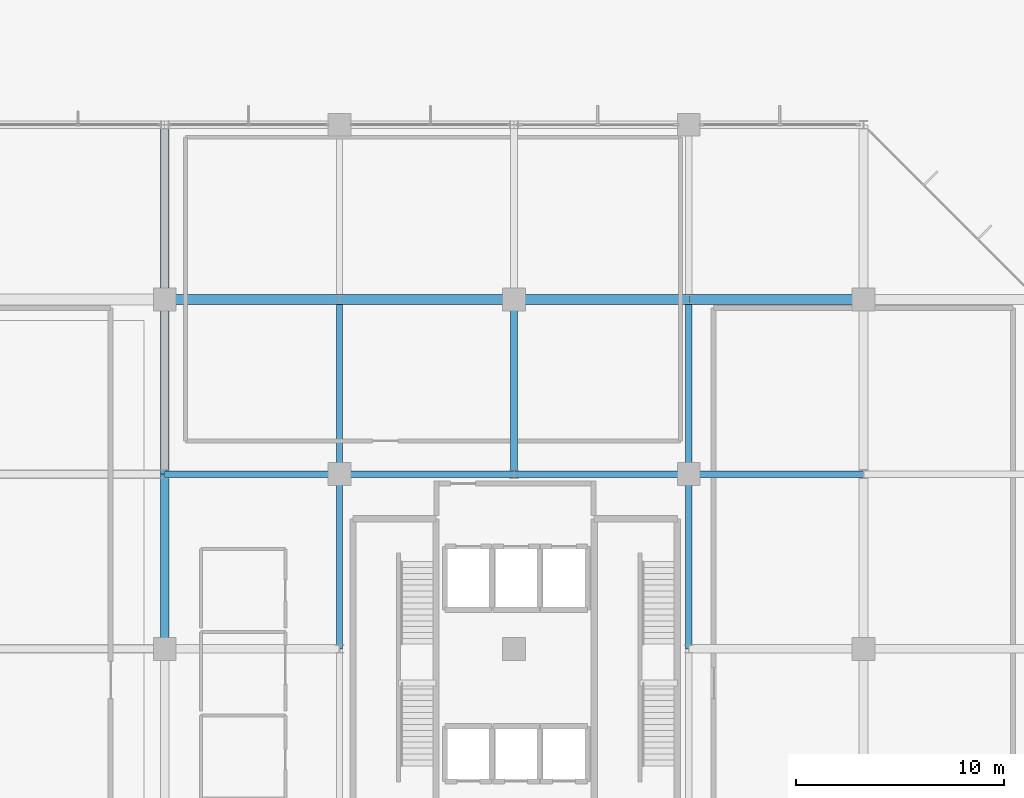
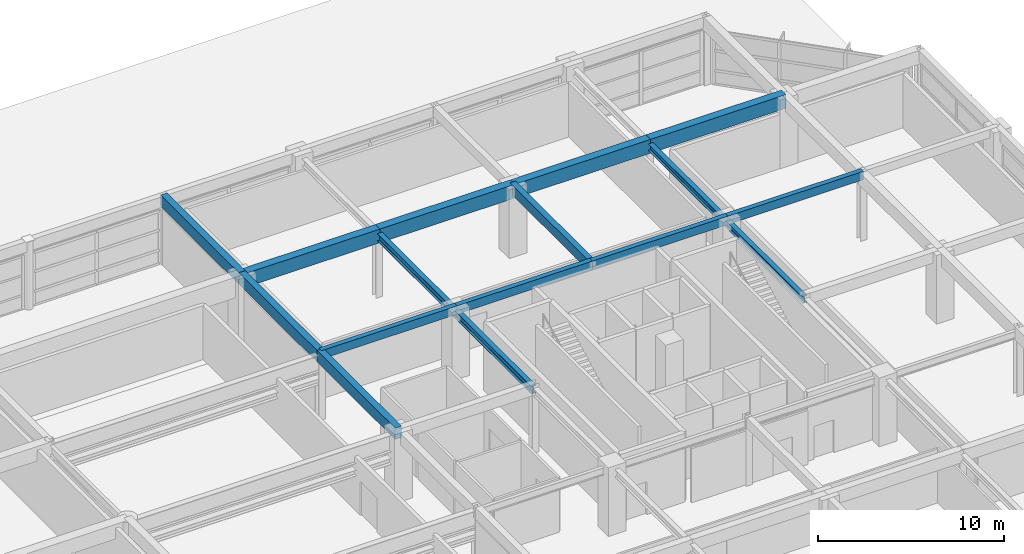
# One storey, part 32 of 47: 16 beams.
"""IFC4 building model written with IfcOpenShell, lengths in metres."""

from ifc_helpers import new_model, si_unit, direction, frame, origin, origin_2d, place, context, subcontext, project, spatial, rectangle, i_section, extrude, material, material_profile, profile_set, type_object, element, save


model = new_model("IFC4")

# Units and contexts
model_context = context("Model", 3, precision=1e-05, world=origin(), true_north=direction((0.0, 1.0)))
body_context = subcontext(model_context, "Body", "Model", "MODEL_VIEW")
ifc_project = project(units=[si_unit("LENGTHUNIT", "METRE"), si_unit("AREAUNIT", "SQUARE_METRE"), si_unit("VOLUMEUNIT", "CUBIC_METRE"), si_unit("PLANEANGLEUNIT", "RADIAN"), si_unit("MASSUNIT", "GRAM", prefix="KILO")], contexts=[model_context])

# Site, building, storey
site_placement = place(None, origin())
site = spatial("IfcSite", under=ifc_project, at=site_placement, CompositionType="ELEMENT")
building_placement = place(site_placement, origin())
building = spatial("IfcBuilding", under=site, at=building_placement, Name="Xuanlan Plaza Opera House", CompositionType="ELEMENT")
storey_placement = place(building_placement, frame((0.0, 0.0, 23.39990234375)))
storey = spatial("IfcBuildingStorey", under=building, at=storey_placement, Name="L05", CompositionType="ELEMENT", Elevation=23.39990234375)

# Beams
ifc_material_1 = material(Name="Concrete C40", Category="concrete")
ifc_material_profile_1 = material_profile(ifc_material_1, rectangle(XDim=0.5, YDim=0.89990234375, at=origin_2d()), Name="RC-BM 500x900")
ifc_profile_set_1 = profile_set([ifc_material_profile_1], Name="Concrete C40")
beam_type_1 = type_object("IfcBeamType", Name="STR-BM-B-03", PredefinedType="BEAM", material=ifc_profile_set_1)
beam_1_placement = place(storey_placement, frame((126.0, 75.60009765625, 4.050048828125), z_axis=(1.0, 0.0, 0.0), x_axis=(0.0, 1.0, 0.0)))
element("IfcBeam", 1, at=beam_1_placement, inside=storey, type_object=beam_type_1, Name="Grid Beam X L05 16-17/J", PredefinedType="BEAM", context=body_context, shape_type="SweptSolid", body=[
    extrude(rectangle(XDim=0.5, YDim=0.89990234375, at=origin_2d()), origin(), (0.0, 0.0, 1.0), 8.39990234375),
])
beam_2_placement = place(storey_placement, frame((134.39990234375, 75.60009765625, 4.050048828125), z_axis=(1.0, 0.0, 0.0), x_axis=(0.0, 1.0, 0.0)))
element("IfcBeam", 2, at=beam_2_placement, inside=storey, type_object=beam_type_1, Name="Grid Beam X L05 17-18/J", PredefinedType="BEAM", context=body_context, shape_type="SweptSolid", body=[
    extrude(rectangle(XDim=0.5, YDim=0.89990234375, at=origin_2d()), origin(), (0.0, 0.0, 1.0), 8.400146484375),
])
beam_3_placement = place(storey_placement, frame((142.800048828125, 75.60009765625, 4.050048828125), z_axis=(1.0, 0.0, 0.0), x_axis=(0.0, 1.0, 0.0)))
element("IfcBeam", 3, at=beam_3_placement, inside=storey, type_object=beam_type_1, Name="Grid Beam X L05 18-19/J", PredefinedType="BEAM", context=body_context, shape_type="SweptSolid", body=[
    extrude(rectangle(XDim=0.5, YDim=0.89990234375, at=origin_2d()), origin(), (0.0, 0.0, 1.0), 8.39990234375),
])
beam_4_placement = place(storey_placement, frame((151.199951171875, 75.60009765625, 4.050048828125), z_axis=(1.0, 0.0, 0.0), x_axis=(0.0, 1.0, 0.0)))
element("IfcBeam", 4, at=beam_4_placement, inside=storey, type_object=beam_type_1, Name="Grid Beam X L05 19-20/J", PredefinedType="BEAM", context=body_context, shape_type="SweptSolid", body=[
    extrude(rectangle(XDim=0.5, YDim=0.89990234375, at=origin_2d()), origin(), (0.0, 0.0, 1.0), 8.400146484375),
])
ifc_material_profile_2 = material_profile(ifc_material_1, rectangle(XDim=0.39990234375, YDim=0.75, at=origin_2d()), Name="RC-BM 400x750")
ifc_profile_set_2 = profile_set([ifc_material_profile_2], Name="Concrete C40")
beam_type_2 = type_object("IfcBeamType", Name="STR-BM-B-06", PredefinedType="BEAM", material=ifc_profile_set_2)
beam_5_placement = place(storey_placement, frame((126.0, 58.800048828125, 4.125), z_axis=(0.0, 1.0, 0.0), x_axis=(-1.0, 0.0, 0.0)))
element("IfcBeam", 5, at=beam_5_placement, inside=storey, type_object=beam_type_2, Name="Grid Beam Y L05 16/H-I", PredefinedType="BEAM", context=body_context, shape_type="SweptSolid", body=[
    extrude(rectangle(XDim=0.39990234375, YDim=0.75, at=origin_2d()), origin(), (0.0, 0.0, 1.0), 8.39990234375),
])
beam_6_placement = place(storey_placement, frame((126.0, 67.199951171875, 4.125), z_axis=(0.0, 1.0, 0.0), x_axis=(-1.0, 0.0, 0.0)))
element("IfcBeam", 6, at=beam_6_placement, inside=storey, type_object=beam_type_2, Name="Grid Beam Y L05 16/I-J", PredefinedType="BEAM", context=body_context, shape_type="SweptSolid", body=[
    extrude(rectangle(XDim=0.39990234375, YDim=0.75, at=origin_2d()), origin(), (0.0, 0.0, 1.0), 8.400146484375),
])
beam_7_placement = place(storey_placement, frame((126.0, 75.60009765625, 4.125), z_axis=(0.0, 1.0, 0.0), x_axis=(-1.0, 0.0, 0.0)))
element("IfcBeam", 7, at=beam_7_placement, inside=storey, type_object=beam_type_2, Name="Grid Beam Y L05 16/J-K", PredefinedType="BEAM", context=body_context, shape_type="SweptSolid", body=[
    extrude(rectangle(XDim=0.39990234375, YDim=0.75, at=origin_2d()), origin(), (0.0, 0.0, 1.0), 8.39990234375),
])
ifc_material_profile_3 = material_profile(ifc_material_1, rectangle(XDim=0.35009765625, YDim=0.64990234375, at=origin_2d()), Name="RC-BM 350x650")
ifc_profile_set_3 = profile_set([ifc_material_profile_3], Name="Concrete C40")
beam_type_3 = type_object("IfcBeamType", Name="STR-BM-B-08", PredefinedType="BEAM", material=ifc_profile_set_3)
beam_8_placement = place(storey_placement, frame((142.800048828125, 67.199951171875, 4.175048828125), z_axis=(0.0, 1.0, 0.0), x_axis=(-1.0, 0.0, 0.0)))
element("IfcBeam", 8, at=beam_8_placement, inside=storey, type_object=beam_type_3, Name="Grid Beam Y L05 18/I-J", PredefinedType="BEAM", context=body_context, shape_type="SweptSolid", body=[
    extrude(rectangle(XDim=0.35009765625, YDim=0.64990234375, at=origin_2d()), origin(), (0.0, 0.0, 1.0), 8.400146484375),
])
ifc_material_profile_4 = material_profile(ifc_material_1, rectangle(XDim=0.300048828125, YDim=0.550048828125, at=origin_2d()), Name="RC-BM 300x550")
ifc_profile_set_4 = profile_set([ifc_material_profile_4], Name="Concrete C40")
beam_type_4 = type_object("IfcBeamType", Name="STR-BM-B-09", PredefinedType="BEAM", material=ifc_profile_set_4)
beam_9_placement = place(storey_placement, frame((126.0, 67.199951171875, 4.22509765625), z_axis=(1.0, 0.0, 0.0), x_axis=(0.0, 1.0, 0.0)))
element("IfcBeam", 9, at=beam_9_placement, inside=storey, type_object=beam_type_4, Name="Grid Beam X L05 16-17/I", PredefinedType="BEAM", context=body_context, shape_type="SweptSolid", body=[
    extrude(rectangle(XDim=0.300048828125, YDim=0.550048828125, at=origin_2d()), origin(), (0.0, 0.0, 1.0), 8.39990234375),
])
beam_10_placement = place(storey_placement, frame((134.39990234375, 67.199951171875, 4.22509765625), z_axis=(1.0, 0.0, 0.0), x_axis=(0.0, 1.0, 0.0)))
element("IfcBeam", 10, at=beam_10_placement, inside=storey, type_object=beam_type_4, Name="Grid Beam X L05 17-18/I", PredefinedType="BEAM", context=body_context, shape_type="SweptSolid", body=[
    extrude(rectangle(XDim=0.300048828125, YDim=0.550048828125, at=origin_2d()), origin(), (0.0, 0.0, 1.0), 8.400146484375),
])
beam_11_placement = place(storey_placement, frame((142.800048828125, 67.199951171875, 4.22509765625), z_axis=(1.0, 0.0, 0.0), x_axis=(0.0, 1.0, 0.0)))
element("IfcBeam", 11, at=beam_11_placement, inside=storey, type_object=beam_type_4, Name="Grid Beam X L05 18-19/I", PredefinedType="BEAM", context=body_context, shape_type="SweptSolid", body=[
    extrude(rectangle(XDim=0.300048828125, YDim=0.550048828125, at=origin_2d()), origin(), (0.0, 0.0, 1.0), 8.39990234375),
])
beam_12_placement = place(storey_placement, frame((151.199951171875, 67.199951171875, 4.22509765625), z_axis=(1.0, 0.0, 0.0), x_axis=(0.0, 1.0, 0.0)))
element("IfcBeam", 12, at=beam_12_placement, inside=storey, type_object=beam_type_4, Name="Grid Beam X L05 19-20/I", PredefinedType="BEAM", context=body_context, shape_type="SweptSolid", body=[
    extrude(rectangle(XDim=0.300048828125, YDim=0.550048828125, at=origin_2d()), origin(), (0.0, 0.0, 1.0), 8.400146484375),
])
ifc_material_2 = material(Name="Steel Q355B", Category="steel")
ifc_material_profile_5 = material_profile(ifc_material_2, i_section(OverallWidth=0.300048828125, OverallDepth=0.488037109375, WebThickness=0.010986328125, FlangeThickness=0.01806640625, FilletRadius=0.02197265625, at=origin_2d()), Name="HM 488x300x11x18")
ifc_profile_set_5 = profile_set([ifc_material_profile_5], Name="Steel Q355B")
beam_type_5 = type_object("IfcBeamType", Name="STR-BM-SB-07", PredefinedType="BEAM", material=ifc_profile_set_5)
beam_13_placement = place(storey_placement, frame((134.39990234375, 58.800048828125, 4.010986328125), z_axis=(0.0, 1.0, 0.0), x_axis=(-1.0, 0.0, 0.0)))
element("IfcBeam", 13, at=beam_13_placement, inside=storey, type_object=beam_type_5, Name="Grid Beam Y L05 17/H-I", PredefinedType="BEAM", context=body_context, shape_type="SweptSolid", body=[
    extrude(i_section(OverallWidth=0.300048828125, OverallDepth=0.488037109375, WebThickness=0.010986328125, FlangeThickness=0.01806640625, FilletRadius=0.02197265625, at=origin_2d()), origin(), (0.0, 0.0, 1.0), 8.39990234375),
])
beam_14_placement = place(storey_placement, frame((134.39990234375, 67.199951171875, 4.010986328125), z_axis=(0.0, 1.0, 0.0), x_axis=(-1.0, 0.0, 0.0)))
element("IfcBeam", 14, at=beam_14_placement, inside=storey, type_object=beam_type_5, Name="Grid Beam Y L05 17/I-J", PredefinedType="BEAM", context=body_context, shape_type="SweptSolid", body=[
    extrude(i_section(OverallWidth=0.300048828125, OverallDepth=0.488037109375, WebThickness=0.010986328125, FlangeThickness=0.01806640625, FilletRadius=0.02197265625, at=origin_2d()), origin(), (0.0, 0.0, 1.0), 8.400146484375),
])
ifc_material_profile_6 = material_profile(ifc_material_2, i_section(OverallWidth=0.300048828125, OverallDepth=0.43994140625, WebThickness=0.010986328125, FlangeThickness=0.01806640625, FilletRadius=0.02001953125, at=origin_2d()), Name="HM 440x300x11x18")
ifc_profile_set_6 = profile_set([ifc_material_profile_6], Name="Steel Q355B")
beam_type_6 = type_object("IfcBeamType", Name="STR-BM-SB-08", PredefinedType="BEAM", material=ifc_profile_set_6)
beam_15_placement = place(storey_placement, frame((151.199951171875, 58.800048828125, 4.03515625), z_axis=(0.0, 1.0, 0.0), x_axis=(-1.0, 0.0, 0.0)))
element("IfcBeam", 15, at=beam_15_placement, inside=storey, type_object=beam_type_6, Name="Grid Beam Y L05 19/H-I", PredefinedType="BEAM", context=body_context, shape_type="SweptSolid", body=[
    extrude(i_section(OverallWidth=0.300048828125, OverallDepth=0.43994140625, WebThickness=0.010986328125, FlangeThickness=0.01806640625, FilletRadius=0.02001953125, at=origin_2d()), origin(), (0.0, 0.0, 1.0), 8.39990234375),
])
beam_16_placement = place(storey_placement, frame((151.199951171875, 67.199951171875, 4.03515625), z_axis=(0.0, 1.0, 0.0), x_axis=(-1.0, 0.0, 0.0)))
element("IfcBeam", 16, at=beam_16_placement, inside=storey, type_object=beam_type_6, Name="Grid Beam Y L05 19/I-J", PredefinedType="BEAM", context=body_context, shape_type="SweptSolid", body=[
    extrude(i_section(OverallWidth=0.300048828125, OverallDepth=0.43994140625, WebThickness=0.010986328125, FlangeThickness=0.01806640625, FilletRadius=0.02001953125, at=origin_2d()), origin(), (0.0, 0.0, 1.0), 8.400146484375),
])

save(model, "model.ifc")
